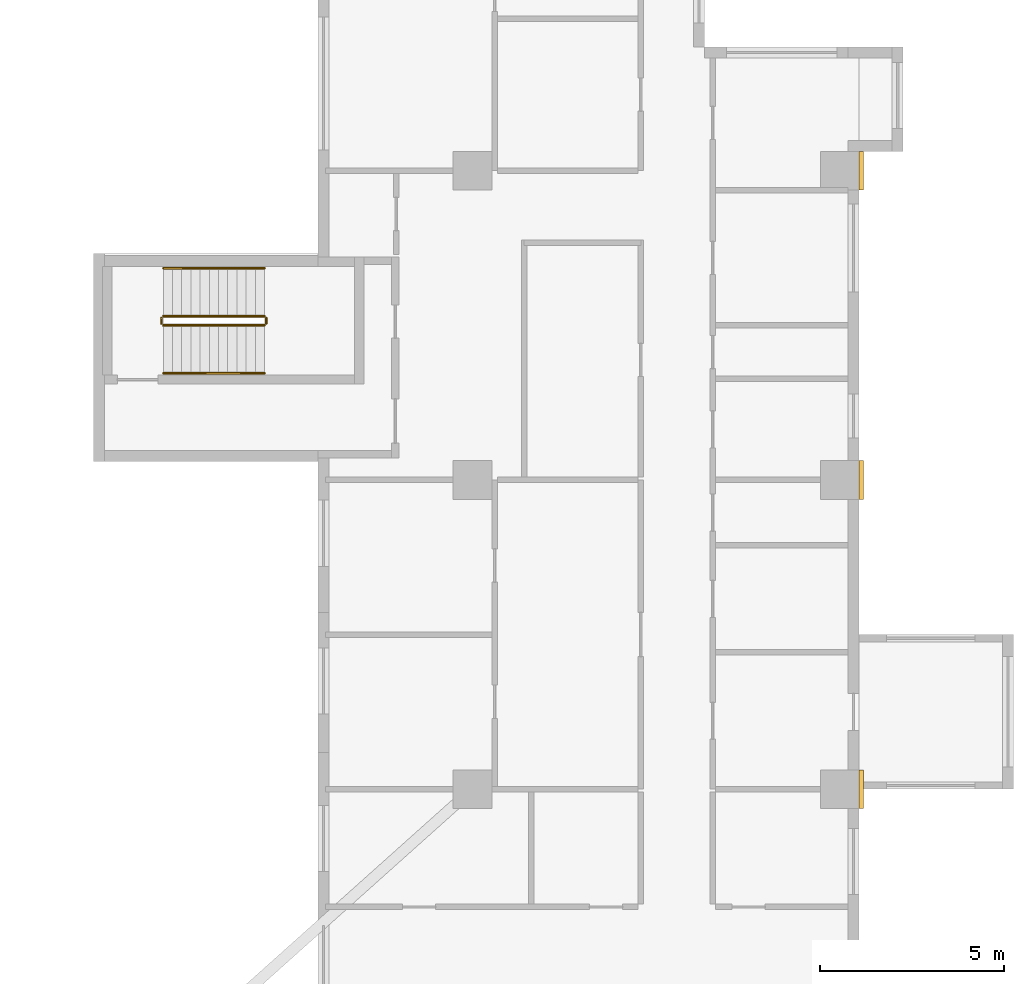
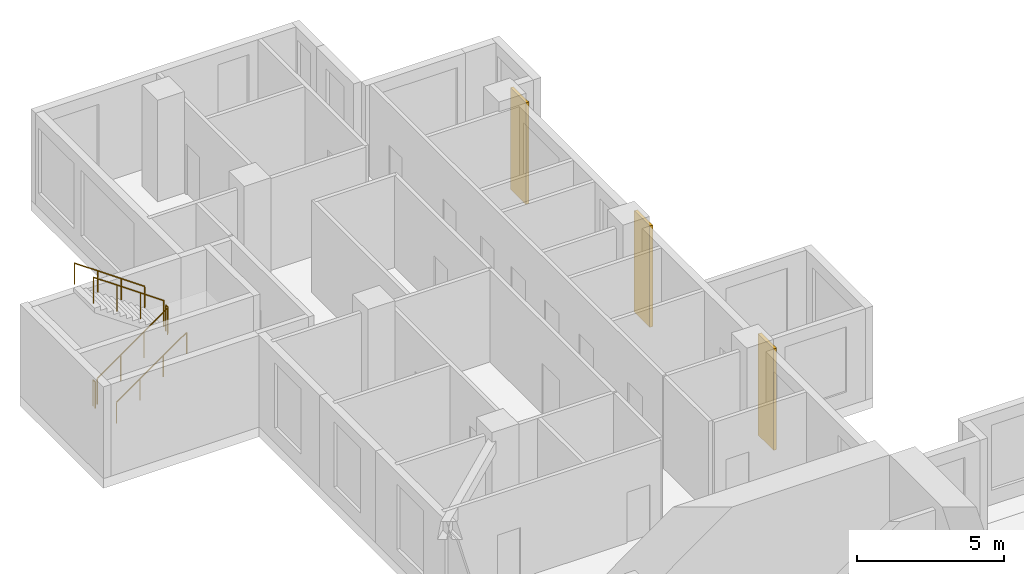
# One storey, part 14 of 15: 6 railings, 3 coverings.
"""IFC4 building model written with IfcOpenShell, lengths in metres."""

from ifc_helpers import new_model, si_unit, direction, frame, origin, origin_2d, place, context, subcontext, project, spatial, rectangle, circle, extrude, source, transform, mapped, material, type_object, element, save


model = new_model("IFC4")

# Units and contexts
model_context = context("Model", 3, precision=1e-05, world=origin(), true_north=direction((0.0, 1.0)))
body_context = subcontext(model_context, "Body", "Model", "MODEL_VIEW")
ifc_project = project(units=[si_unit("LENGTHUNIT", "METRE"), si_unit("AREAUNIT", "SQUARE_METRE"), si_unit("VOLUMEUNIT", "CUBIC_METRE"), si_unit("PLANEANGLEUNIT", "RADIAN"), si_unit("MASSUNIT", "GRAM", prefix="KILO")], contexts=[model_context])

# Site, building, storey
site_placement = place(None, origin())
site = spatial("IfcSite", under=ifc_project, at=site_placement, CompositionType="ELEMENT")
building_placement = place(site_placement, origin())
building = spatial("IfcBuilding", under=site, at=building_placement, Name="Aurelian Terraces", CompositionType="ELEMENT")
storey_placement = place(building_placement, frame((0.0, 0.0, 120.3)))
storey = spatial("IfcBuildingStorey", under=building, at=storey_placement, Name="L26", CompositionType="ELEMENT", Elevation=120.3)

# Coverings
ifc_material_1 = material(Name="Terracotta rainscreen cladding relief", Category="masonry")
covering_type = type_object("IfcCoveringType", Name="BAGUETTE-TC", PredefinedType="CLADDING", material=ifc_material_1)
shared_shape_1 = source(origin(), body_context, "Body", "SweptSolid", [
    extrude(rectangle(XDim=0.12, YDim=1.05, at=origin_2d()), origin(), (0.0, 0.0, 1.0), 4.2),
])
for number, where, z_axis, x_axis, name in (
    (1, (21.06, 29.4, -0.4), (0.0, 0.0, 1.0), (1.0, 0.0, 0.0), "BAGUETTE pier L26 10"),
    (2, (21.06, 37.8, -0.4), (0.0, 0.0, 1.0), (1.0, 0.0, 0.0), "BAGUETTE pier L26 11"),
    (3, (21.06, 46.2, -0.4), (0.0, 0.0, 1.0), (1.0, 0.0, 0.0), "BAGUETTE pier L26 12"),
):
    element("IfcCovering", number, at=place(storey_placement, frame(where, z_axis=z_axis, x_axis=x_axis)), inside=storey, type_object=covering_type, Name=name, PredefinedType="CLADDING", context=body_context, shape_type="MappedRepresentation", body=[
        mapped(shared_shape_1, transform((0.0, 0.0, 0.0), scale=1.0)),
    ])

# Railings
ifc_material_2 = material(Name="Stainless steel", Category="steel")
railing_type_1 = type_object("IfcRailingType", Name="Stair guard 1100", PredefinedType="GUARDRAIL", material=ifc_material_2)
shared_shape_2 = source(origin(), body_context, "Body", "SweptSolid", [
    extrude(circle(Radius=0.024, at=origin_2d()), frame((0.0, 0.0, 1.076), z_axis=(0.0, 1.0, 0.0), x_axis=(-1.0, 0.0, 0.0)), (0.0, 0.0, 1.0), 0.15),
    extrude(circle(Radius=0.021, at=origin_2d()), origin(), (0.0, 0.0, 1.0), 1.052),
    extrude(circle(Radius=0.021, at=origin_2d()), frame((0.0, 0.15, 0.0)), (0.0, 0.0, 1.0), 1.052),
])
for number, where, name in (
    (4, (4.9, 42.05, 2.1), "L26 S3 stair guard 2"),
    (5, (2.05, 42.05, 0.0), "L26 S3 stair guard 4"),
):
    element("IfcRailing", number, at=place(storey_placement, frame(where)), inside=storey, type_object=railing_type_1, Name=name, PredefinedType="GUARDRAIL", context=body_context, shape_type="MappedRepresentation", body=[
        mapped(shared_shape_2, transform((0.0, 0.0, 0.0), scale=1.0)),
    ])
shared_shape_3 = source(origin(), body_context, "Body", "SweptSolid", [
    extrude(circle(Radius=0.024, at=origin_2d()), frame((0.0, 0.0, 1.076), z_axis=(0.819231920519, 0.0, 0.573462344363), x_axis=(0.0, 1.0, 0.0)), (0.0, 0.0, 1.0), 3.3568),
    extrude(circle(Radius=0.021, at=origin_2d()), origin(), (0.0, 0.0, 1.0), 1.052),
    extrude(circle(Radius=0.021, at=origin_2d()), frame((0.9167, 0.0, 0.6417)), (0.0, 0.0, 1.0), 1.052),
    extrude(circle(Radius=0.021, at=origin_2d()), frame((1.8333, 0.0, 1.2833)), (0.0, 0.0, 1.0), 1.052),
    extrude(circle(Radius=0.021, at=origin_2d()), frame((2.75, 0.0, 1.925)), (0.0, 0.0, 1.0), 1.052),
])
railing_1_placement = place(storey_placement, frame((2.1, 42.0, 0.175)))
element("IfcRailing", 6, at=railing_1_placement, inside=storey, type_object=railing_type_1, Name="L26 S3 stair guard 1", PredefinedType="GUARDRAIL", context=body_context, shape_type="MappedRepresentation", body=[
    mapped(shared_shape_3, transform((0.0, 0.0, 0.0), scale=1.0)),
])
shared_shape_4 = source(origin(), body_context, "Body", "SweptSolid", [
    extrude(circle(Radius=0.024, at=origin_2d()), frame((0.0, 0.0, 1.076), z_axis=(-0.819231920519, 0.0, 0.573462344363), x_axis=(0.0, -1.0, 0.0)), (0.0, 0.0, 1.0), 3.3568),
    extrude(circle(Radius=0.021, at=origin_2d()), origin(), (0.0, 0.0, 1.0), 1.052),
    extrude(circle(Radius=0.021, at=origin_2d()), frame((-0.9167, 0.0, 0.6417)), (0.0, 0.0, 1.0), 1.052),
    extrude(circle(Radius=0.021, at=origin_2d()), frame((-1.8333, 0.0, 1.2833)), (0.0, 0.0, 1.0), 1.052),
    extrude(circle(Radius=0.021, at=origin_2d()), frame((-2.75, 0.0, 1.925)), (0.0, 0.0, 1.0), 1.052),
])
railing_2_placement = place(storey_placement, frame((4.85, 42.25, 2.275)))
element("IfcRailing", 7, at=railing_2_placement, inside=storey, type_object=railing_type_1, Name="L26 S3 stair guard 3", PredefinedType="GUARDRAIL", context=body_context, shape_type="MappedRepresentation", body=[
    mapped(shared_shape_4, transform((0.0, 0.0, 0.0), scale=1.0)),
])
railing_type_2 = type_object("IfcRailingType", Name="Stair handrail", PredefinedType="HANDRAIL", material=ifc_material_2)
shared_shape_5 = source(origin(), body_context, "Body", "SweptSolid", [
    extrude(circle(Radius=0.024, at=origin_2d()), frame((0.0, 0.0, 0.876), z_axis=(0.819231920519, 0.0, 0.573462344363), x_axis=(0.0, 1.0, 0.0)), (0.0, 0.0, 1.0), 3.3568),
    extrude(circle(Radius=0.021, at=origin_2d()), origin(), (0.0, 0.0, 1.0), 0.852),
    extrude(circle(Radius=0.021, at=origin_2d()), frame((0.9167, 0.0, 0.6417)), (0.0, 0.0, 1.0), 0.852),
    extrude(circle(Radius=0.021, at=origin_2d()), frame((1.8333, 0.0, 1.2833)), (0.0, 0.0, 1.0), 0.852),
    extrude(circle(Radius=0.021, at=origin_2d()), frame((2.75, 0.0, 1.925)), (0.0, 0.0, 1.0), 0.852),
])
railing_3_placement = place(storey_placement, frame((2.1, 40.7, 0.175)))
element("IfcRailing", 8, at=railing_3_placement, inside=storey, type_object=railing_type_2, Name="L26 S3 stair handrail 1", PredefinedType="HANDRAIL", context=body_context, shape_type="MappedRepresentation", body=[
    mapped(shared_shape_5, transform((0.0, 0.0, 0.0), scale=1.0)),
])
shared_shape_6 = source(origin(), body_context, "Body", "SweptSolid", [
    extrude(circle(Radius=0.024, at=origin_2d()), frame((0.0, 0.0, 0.876), z_axis=(-0.819231920519, 0.0, 0.573462344363), x_axis=(0.0, -1.0, 0.0)), (0.0, 0.0, 1.0), 3.3568),
    extrude(circle(Radius=0.021, at=origin_2d()), origin(), (0.0, 0.0, 1.0), 0.852),
    extrude(circle(Radius=0.021, at=origin_2d()), frame((-0.9167, 0.0, 0.6417)), (0.0, 0.0, 1.0), 0.852),
    extrude(circle(Radius=0.021, at=origin_2d()), frame((-1.8333, 0.0, 1.2833)), (0.0, 0.0, 1.0), 0.852),
    extrude(circle(Radius=0.021, at=origin_2d()), frame((-2.75, 0.0, 1.925)), (0.0, 0.0, 1.0), 0.852),
])
railing_4_placement = place(storey_placement, frame((4.85, 43.55, 2.275)))
element("IfcRailing", 9, at=railing_4_placement, inside=storey, type_object=railing_type_2, Name="L26 S3 stair handrail 2", PredefinedType="HANDRAIL", context=body_context, shape_type="MappedRepresentation", body=[
    mapped(shared_shape_6, transform((0.0, 0.0, 0.0), scale=1.0)),
])

save(model, "model.ifc")
